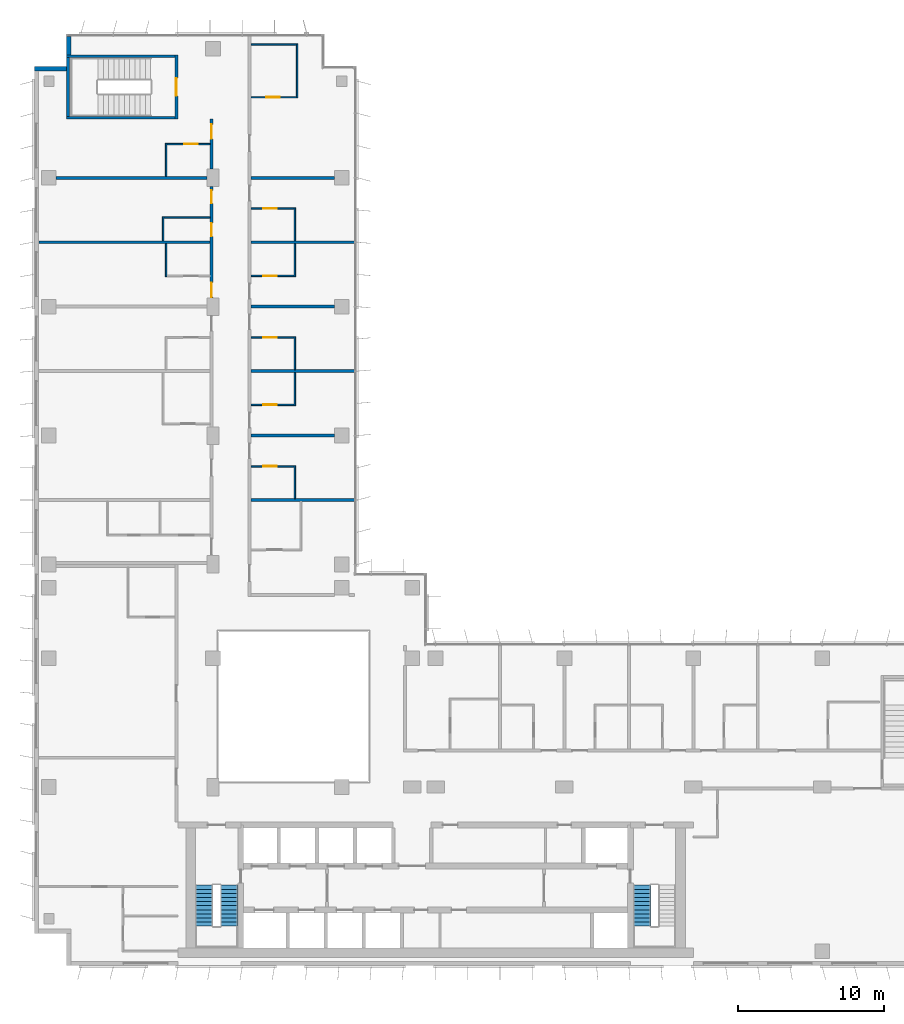
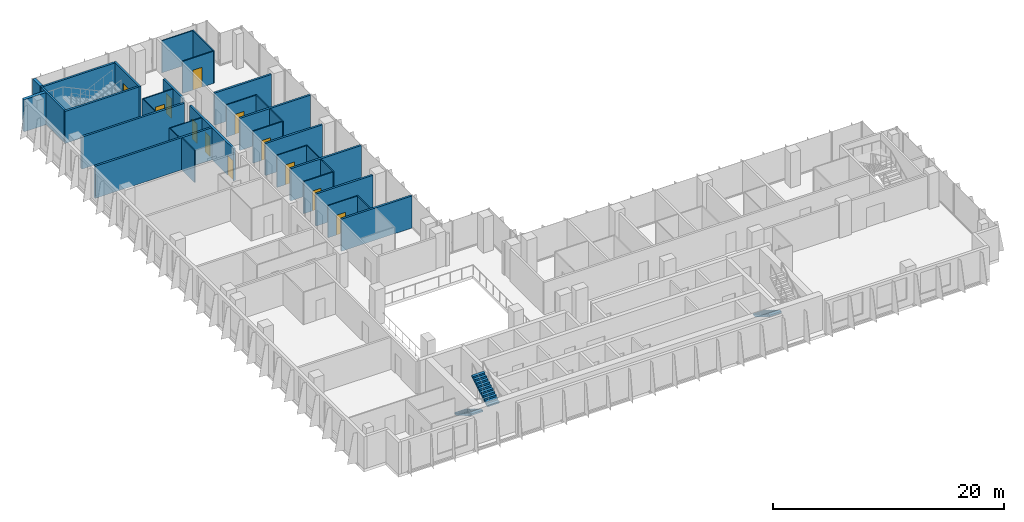
# One storey, part 17 of 21: 34 walls, 12 doors, 3 stair flights, 12 openings, 2 elements without a shape of their own.
"""IFC4 building model written with IfcOpenShell, lengths in metres."""

from ifc_helpers import new_model, si_unit, direction, frame, frame_2d, origin, place, context, subcontext, project, spatial, polyline, rectangle, outline, extrude, material, layer, layer_set, type_object, element, fill, aggregate, save


model = new_model("IFC4")

# Units and contexts
model_context = context("Model", 3, precision=1e-05, world=origin(), true_north=direction((0.0, 1.0)))
body_context = subcontext(model_context, "Body", "Model", "MODEL_VIEW")
ifc_project = project(units=[si_unit("LENGTHUNIT", "METRE"), si_unit("AREAUNIT", "SQUARE_METRE"), si_unit("VOLUMEUNIT", "CUBIC_METRE"), si_unit("PLANEANGLEUNIT", "RADIAN"), si_unit("MASSUNIT", "GRAM", prefix="KILO")], contexts=[model_context])

# Site, building, storey
site_placement = place(None, origin())
site = spatial("IfcSite", under=ifc_project, at=site_placement, CompositionType="ELEMENT")
building_placement = place(site_placement, origin())
building = spatial("IfcBuilding", under=site, at=building_placement, Name="Kemantara Hotel Tower", CompositionType="ELEMENT")
storey_placement = place(building_placement, frame((0.0, 0.0, 182.699951171875)))
storey = spatial("IfcBuildingStorey", under=building, at=storey_placement, Name="L45", CompositionType="ELEMENT", Elevation=182.699951171875)

# Walls
ifc_material_1 = material(Name="Bronze anodised aluminium cladding on insulated steel stud wall", Category="steel")
ifc_layer_1 = layer(ifc_material_1, 0.300048828125)
ifc_layer_set_1 = layer_set([ifc_layer_1], Name="Bronze anodised aluminium cladding on insulated steel stud wall")
wall_type_1 = type_object("IfcWallType", Name="BRONZE METAL-CLAD EXTERNAL WALL 300", PredefinedType="STANDARD", material=ifc_layer_set_1)
wall_1_placement = place(storey_placement, frame((2.35009765625, 63.449951171875, 0.0), z_axis=(0.0, 0.0, 1.0), x_axis=(0.0, -1.0, 0.0)))
element("IfcWall", 1, at=wall_1_placement, inside=storey, type_object=wall_type_1, Name="EXTERNAL WALL L45 T3-R03", PredefinedType="STANDARD", context=body_context, shape_type="SweptSolid", body=[
    extrude(rectangle(XDim=1.25, YDim=0.300048828125, at=frame_2d((0.625, 0.0))), origin(), (0.0, 0.0, 1.0), 3.400146484375),
])
wall_2_placement = place(storey_placement, frame((2.199951171875, 61.25, 0.0), z_axis=(0.0, 0.0, 1.0), x_axis=(-1.0, 0.0, 0.0)))
element("IfcWall", 2, at=wall_2_placement, inside=storey, type_object=wall_type_1, Name="EXTERNAL WALL L45 T3-R04", PredefinedType="STANDARD", context=body_context, shape_type="SweptSolid", body=[
    extrude(rectangle(XDim=2.199951171875, YDim=0.300048828125, at=frame_2d((1.10009765625, 0.0))), origin(), (0.0, 0.0, 1.0), 3.400146484375),
])

# Wall, openings, doors
ifc_material_2 = material(Name="Gypsum board partition, steel studs and mineral wool, 200 mm", Category="steel")
ifc_layer_2 = layer(ifc_material_2, 0.199951171875)
ifc_layer_set_2 = layer_set([ifc_layer_2], Name="Gypsum board partition, steel studs and mineral wool, 200 mm")
wall_type_2 = type_object("IfcWallType", Name="CORRIDOR WALL 200", PredefinedType="PARTITIONING", material=ifc_layer_set_2)
wall_3_placement = place(storey_placement, frame((12.10009765625, 45.60009765625, 0.0), z_axis=(0.0, 0.0, 1.0), x_axis=(0.0, 1.0, 0.0)))
wall_3 = element("IfcWall", 3, at=wall_3_placement, inside=storey, type_object=wall_type_2, Name="CORRIDOR WALL 200 017", PredefinedType="PARTITIONING", context=body_context, shape_type="SweptSolid", body=[
    extrude(rectangle(XDim=7.599853515625, YDim=0.199951171875, at=frame_2d((3.7998046875, 0.0))), origin(), (0.0, 0.0, 1.0), 3.400146484375),
])
opening_1_placement = place(wall_3_placement, frame((0.0498046875, 0.0, 0.0)))
opening_1 = element("IfcOpeningElement", 4, at=opening_1_placement, cuts=wall_3, Name="Opening F21-028", PredefinedType="OPENING", context=body_context, shape_type="SweptSolid", body=[
    extrude(rectangle(XDim=1.0, YDim=2.10009765625, at=frame_2d((0.5, 1.050048828125))), frame((0.0, 0.10986328125, 0.0), z_axis=(0.0, -1.0, 0.0), x_axis=(1.0, 0.0, 0.0)), (0.0, 0.0, 1.0), 0.219970703125),
])
opening_2_placement = place(wall_3_placement, frame((6.449951171875, 0.0, 0.0)))
opening_2 = element("IfcOpeningElement", 5, at=opening_2_placement, cuts=wall_3, Name="Opening F21-030", PredefinedType="OPENING", context=body_context, shape_type="SweptSolid", body=[
    extrude(rectangle(XDim=0.89990234375, YDim=2.10009765625, at=frame_2d((0.449951171875, 1.050048828125))), frame((0.0, 0.10986328125, 0.0), z_axis=(0.0, -1.0, 0.0), x_axis=(1.0, 0.0, 0.0)), (0.0, 0.0, 1.0), 0.219970703125),
])
opening_3_placement = place(wall_3_placement, frame((4.199951171875, 0.0, 0.0)))
opening_3 = element("IfcOpeningElement", 6, at=opening_3_placement, cuts=wall_3, Name="Opening F21-031", PredefinedType="OPENING", context=body_context, shape_type="SweptSolid", body=[
    extrude(rectangle(XDim=0.89990234375, YDim=2.10009765625, at=frame_2d((0.449951171875, 1.050048828125))), frame((0.0, 0.10986328125, 0.0), z_axis=(0.0, -1.0, 0.0), x_axis=(1.0, 0.0, 0.0)), (0.0, 0.0, 1.0), 0.219970703125),
])
ifc_material_3 = material(Name="Hardwood veneer door leaf with steel frame", Category="steel")
door_type_1 = type_object("IfcDoorType", Name="GUEST ROOM DOOR 1000 X 2100 FD30S", OperationType="NOTDEFINED", PredefinedType="DOOR", material=ifc_material_3)
door_1_placement = place(opening_1_placement, origin())
door_1 = element("IfcDoor", 7, at=door_1_placement, inside=storey, type_object=door_type_1, Name="GUEST ROOM DOOR F21-028", OperationType="SINGLE_SWING_LEFT", OverallHeight=2.10009765625, OverallWidth=1.0, PredefinedType="DOOR", context=body_context, shape_type="SweptSolid", body=[
    extrude(rectangle(XDim=1.0, YDim=2.10009765625, at=frame_2d((0.5, 1.050048828125))), frame((0.0, 0.02490234375, 0.0), z_axis=(0.0, -1.0, 0.0), x_axis=(1.0, 0.0, 0.0)), (0.0, 0.0, 1.0), 0.050048828125),
])
fill(opening_1, door_1)
ifc_material_4 = material(Name="Steel door leaf with steel frame", Category="steel")
door_type_2 = type_object("IfcDoorType", Name="SERVICE ROOM DOOR 900 X 2100 FD60", OperationType="NOTDEFINED", PredefinedType="DOOR", material=ifc_material_4)
door_2_placement = place(opening_2_placement, origin())
door_2 = element("IfcDoor", 8, at=door_2_placement, inside=storey, type_object=door_type_2, Name="SERVICE ROOM DOOR F21-030", OperationType="SINGLE_SWING_RIGHT", OverallHeight=2.10009765625, OverallWidth=0.89990234375, PredefinedType="DOOR", context=body_context, shape_type="SweptSolid", body=[
    extrude(rectangle(XDim=0.89990234375, YDim=2.10009765625, at=frame_2d((0.449951171875, 1.050048828125))), frame((0.0, 0.02490234375, 0.0), z_axis=(0.0, -1.0, 0.0), x_axis=(1.0, 0.0, 0.0)), (0.0, 0.0, 1.0), 0.050048828125),
])
fill(opening_2, door_2)
door_3_placement = place(opening_3_placement, origin())
door_3 = element("IfcDoor", 9, at=door_3_placement, inside=storey, type_object=door_type_2, Name="SERVICE ROOM DOOR F21-031", OperationType="SINGLE_SWING_LEFT", OverallHeight=2.10009765625, OverallWidth=0.89990234375, PredefinedType="DOOR", context=body_context, shape_type="SweptSolid", body=[
    extrude(rectangle(XDim=0.89990234375, YDim=2.10009765625, at=frame_2d((0.449951171875, 1.050048828125))), frame((0.0, 0.02490234375, 0.0), z_axis=(0.0, -1.0, 0.0), x_axis=(1.0, 0.0, 0.0)), (0.0, 0.0, 1.0), 0.050048828125),
])
fill(opening_3, door_3)

# Wall, opening, door
wall_4_placement = place(storey_placement, frame((12.10009765625, 54.400146484375, 0.0), z_axis=(0.0, 0.0, 1.0), x_axis=(0.0, 1.0, 0.0)))
wall_4 = element("IfcWall", 10, at=wall_4_placement, inside=storey, type_object=wall_type_2, Name="CORRIDOR WALL 200 018", PredefinedType="PARTITIONING", context=body_context, shape_type="SweptSolid", body=[
    extrude(rectangle(XDim=3.39990234375, YDim=0.199951171875, at=frame_2d((1.699951171875, 0.0))), origin(), (0.0, 0.0, 1.0), 3.400146484375),
])
opening_4_placement = place(wall_4_placement, frame((2.0498046875, 0.0, 0.0)))
opening_4 = element("IfcOpeningElement", 11, at=opening_4_placement, cuts=wall_4, Name="Opening F21-032", PredefinedType="OPENING", context=body_context, shape_type="SweptSolid", body=[
    extrude(rectangle(XDim=1.0, YDim=2.10009765625, at=frame_2d((0.5, 1.050048828125))), frame((0.0, 0.10986328125, 0.0), z_axis=(0.0, -1.0, 0.0), x_axis=(1.0, 0.0, 0.0)), (0.0, 0.0, 1.0), 0.219970703125),
])
door_4_placement = place(opening_4_placement, origin())
door_4 = element("IfcDoor", 12, at=door_4_placement, inside=storey, type_object=door_type_1, Name="GUEST ROOM DOOR F21-032", OperationType="SINGLE_SWING_RIGHT", OverallHeight=2.10009765625, OverallWidth=1.0, PredefinedType="DOOR", context=body_context, shape_type="SweptSolid", body=[
    extrude(rectangle(XDim=1.0, YDim=2.10009765625, at=frame_2d((0.5, 1.050048828125))), frame((0.0, 0.02490234375, 0.0), z_axis=(0.0, -1.0, 0.0), x_axis=(1.0, 0.0, 0.0)), (0.0, 0.0, 1.0), 0.050048828125),
])
fill(opening_4, door_4)

ifc_material_5 = material(Name="Concrete fc 40 MPa", Category="concrete")
ifc_layer_3 = layer(ifc_material_5, 0.199951171875)
ifc_layer_set_3 = layer_set([ifc_layer_3], Name="Concrete fc 40 MPa")
wall_type_3 = type_object("IfcWallType", Name="Concrete stair wall 200 mm", PredefinedType="SHEAR", material=ifc_layer_set_3)
wall_5_placement = place(storey_placement, frame((9.699951171875, 57.800048828125, 0.0), z_axis=(0.0, 0.0, 1.0), x_axis=(0.0, 1.0, 0.0)))
wall_5 = element("IfcWall", 13, at=wall_5_placement, inside=storey, type_object=wall_type_3, Name="Stair ST4 enclosure wall with door", PredefinedType="SHEAR", context=body_context, shape_type="SweptSolid", body=[
    extrude(rectangle(XDim=4.39990234375, YDim=0.199951171875, at=frame_2d((2.199951171875, 0.0))), origin(), (0.0, 0.0, 1.0), 3.400146484375),
])
opening_5_placement = place(wall_5_placement, frame((1.60009765625, 0.0, 0.0)))
opening_5 = element("IfcOpeningElement", 14, at=opening_5_placement, cuts=wall_5, Name="Opening ST4-C", PredefinedType="OPENING", context=body_context, shape_type="SweptSolid", body=[
    extrude(rectangle(XDim=1.199951171875, YDim=2.10009765625, at=frame_2d((0.60009765625, 1.050048828125))), frame((0.0, 0.10986328125, 0.0), z_axis=(0.0, -1.0, 0.0), x_axis=(1.0, 0.0, 0.0)), (0.0, 0.0, 1.0), 0.219970703125),
])
ifc_material_6 = material(Name="Steel fire door", Category="steel")
door_type_3 = type_object("IfcDoorType", Name="Fire door FD90 1200 x 2100", OperationType="NOTDEFINED", PredefinedType="DOOR", material=ifc_material_6)
door_5_placement = place(opening_5_placement, origin())
door_5 = element("IfcDoor", 15, at=door_5_placement, inside=storey, type_object=door_type_3, Name="Stair ST4 door", OperationType="SINGLE_SWING_RIGHT", OverallHeight=2.10009765625, OverallWidth=1.199951171875, PredefinedType="DOOR", context=body_context, shape_type="SweptSolid", body=[
    extrude(rectangle(XDim=1.199951171875, YDim=2.10009765625, at=frame_2d((0.60009765625, 1.050048828125))), frame((0.0, 0.02490234375, 0.0), z_axis=(0.0, -1.0, 0.0), x_axis=(1.0, 0.0, 0.0)), (0.0, 0.0, 1.0), 0.050048828125),
])
fill(opening_5, door_5)

# Walls
for number, where, z_axis, x_axis, name in (
    (16, (2.199951171875, 62.10009765625, 0.0), (0.0, 0.0, 1.0), (1.0, 0.0, 0.0), "Stair ST4 enclosure wall N"),
    (17, (2.199951171875, 57.89990234375, 0.0), (0.0, 0.0, 1.0), (1.0, 0.0, 0.0), "Stair ST4 enclosure wall S"),
):
    element("IfcWall", number, at=place(storey_placement, frame(where, z_axis=z_axis, x_axis=x_axis)), inside=storey, type_object=wall_type_3, Name=name, PredefinedType="SHEAR", context=body_context, shape_type="SweptSolid", body=[
        extrude(rectangle(XDim=7.400146484375, YDim=0.199951171875, at=frame_2d((3.7001953125, 0.0))), origin(), (0.0, 0.0, 1.0), 3.400146484375),
    ])
wall_6_placement = place(storey_placement, frame((2.300048828125, 58.0, 0.0), z_axis=(0.0, 0.0, 1.0), x_axis=(0.0, 1.0, 0.0)))
element("IfcWall", 18, at=wall_6_placement, inside=storey, type_object=wall_type_3, Name="Stair ST4 enclosure wall W", PredefinedType="SHEAR", context=body_context, shape_type="SweptSolid", body=[
    extrude(rectangle(XDim=4.0, YDim=0.199951171875, at=frame_2d((2.0, 0.0))), origin(), (0.0, 0.0, 1.0), 3.400146484375),
])
ifc_layer_4 = layer(ifc_material_2, 0.199951171875)
ifc_layer_set_4 = layer_set([ifc_layer_4], Name="Gypsum board partition, steel studs and mineral wool, 200 mm")
wall_type_4 = type_object("IfcWallType", Name="GUEST ROOM PARTY WALL 200", PredefinedType="PARTITIONING", material=ifc_layer_set_4)
for number, where, z_axis, x_axis, name in (
    (19, (14.800048828125, 31.800048828125, 0.0), (0.0, 0.0, 1.0), (1.0, 0.0, 0.0), "GUEST ROOM PARTY WALL 200 021"),
    (20, (14.800048828125, 40.60009765625, 0.0), (0.0, 0.0, 1.0), (1.0, 0.0, 0.0), "GUEST ROOM PARTY WALL 200 023"),
):
    element("IfcWall", number, at=place(storey_placement, frame(where, z_axis=z_axis, x_axis=x_axis)), inside=storey, type_object=wall_type_4, Name=name, PredefinedType="PARTITIONING", context=body_context, shape_type="SweptSolid", body=[
        extrude(rectangle(XDim=7.070068359375, YDim=0.199951171875, at=frame_2d((3.53515625, 0.0))), origin(), (0.0, 0.0, 1.0), 3.400146484375),
    ])
wall_7_placement = place(storey_placement, frame((14.800048828125, 45.0, 0.0), z_axis=(0.0, 0.0, 1.0), x_axis=(1.0, 0.0, 0.0)))
element("IfcWall", 21, at=wall_7_placement, inside=storey, type_object=wall_type_4, Name="GUEST ROOM PARTY WALL 200 025", PredefinedType="PARTITIONING", context=body_context, shape_type="SweptSolid", body=[
    extrude(rectangle(XDim=5.699951171875, YDim=0.199951171875, at=frame_2d((2.85009765625, 0.0))), origin(), (0.0, 0.0, 1.0), 3.400146484375),
])
wall_8_placement = place(storey_placement, frame((0.31005859375, 49.39990234375, 0.0), z_axis=(0.0, 0.0, 1.0), x_axis=(1.0, 0.0, 0.0)))
element("IfcWall", 22, at=wall_8_placement, inside=storey, type_object=wall_type_4, Name="GUEST ROOM PARTY WALL 200 026", PredefinedType="PARTITIONING", context=body_context, shape_type="SweptSolid", body=[
    extrude(rectangle(XDim=11.68994140625, YDim=0.199951171875, at=frame_2d((5.844970703125, 0.0))), origin(), (0.0, 0.0, 1.0), 3.400146484375),
])
wall_9_placement = place(storey_placement, frame((14.800048828125, 49.39990234375, 0.0), z_axis=(0.0, 0.0, 1.0), x_axis=(1.0, 0.0, 0.0)))
element("IfcWall", 23, at=wall_9_placement, inside=storey, type_object=wall_type_4, Name="GUEST ROOM PARTY WALL 200 027", PredefinedType="PARTITIONING", context=body_context, shape_type="SweptSolid", body=[
    extrude(rectangle(XDim=7.070068359375, YDim=0.199951171875, at=frame_2d((3.53515625, 0.0))), origin(), (0.0, 0.0, 1.0), 3.400146484375),
])
wall_10_placement = place(storey_placement, frame((1.5, 53.800048828125, 0.0), z_axis=(0.0, 0.0, 1.0), x_axis=(1.0, 0.0, 0.0)))
element("IfcWall", 24, at=wall_10_placement, inside=storey, type_object=wall_type_4, Name="GUEST ROOM PARTY WALL 200 028", PredefinedType="PARTITIONING", context=body_context, shape_type="SweptSolid", body=[
    extrude(rectangle(XDim=10.2998046875, YDim=0.199951171875, at=frame_2d((5.14990234375, 0.0))), origin(), (0.0, 0.0, 1.0), 3.400146484375),
])
for number, where, z_axis, x_axis, name in (
    (25, (14.800048828125, 53.800048828125, 0.0), (0.0, 0.0, 1.0), (1.0, 0.0, 0.0), "GUEST ROOM PARTY WALL 200 029"),
    (26, (14.800048828125, 36.199951171875, 0.0), (0.0, 0.0, 1.0), (1.0, 0.0, 0.0), "GUEST ROOM PARTY WALL 200 033"),
):
    element("IfcWall", number, at=place(storey_placement, frame(where, z_axis=z_axis, x_axis=x_axis)), inside=storey, type_object=wall_type_4, Name=name, PredefinedType="PARTITIONING", context=body_context, shape_type="SweptSolid", body=[
        extrude(rectangle(XDim=5.699951171875, YDim=0.199951171875, at=frame_2d((2.85009765625, 0.0))), origin(), (0.0, 0.0, 1.0), 3.400146484375),
    ])
ifc_material_7 = material(Name="Gypsum board partition on steel studs, 100 mm", Category="steel")
ifc_layer_5 = layer(ifc_material_7, 0.10009765625)
ifc_layer_set_5 = layer_set([ifc_layer_5], Name="Gypsum board partition on steel studs, 100 mm")
wall_type_5 = type_object("IfcWallType", Name="ROOM PARTITION 100", PredefinedType="PARTITIONING", material=ifc_layer_set_5)
wall_11_placement = place(storey_placement, frame((8.800048828125, 49.5, 0.0), z_axis=(0.0, 0.0, 1.0), x_axis=(0.0, 1.0, 0.0)))
element("IfcWall", 27, at=wall_11_placement, inside=storey, type_object=wall_type_5, Name="ROOM PARTITION 100 058", PredefinedType="PARTITIONING", context=body_context, shape_type="SweptSolid", body=[
    extrude(rectangle(XDim=1.64990234375, YDim=0.10009765625, at=frame_2d((0.824951171875, 0.0))), origin(), (0.0, 0.0, 1.0), 3.400146484375),
])
for number, where, z_axis, x_axis, name in (
    (28, (9.0, 47.050048828125, 0.0), (0.0, 0.0, 1.0), (0.0, 1.0, 0.0), "ROOM PARTITION 100 061"),
    (29, (9.0, 53.89990234375, 0.0), (0.0, 0.0, 1.0), (0.0, 1.0, 0.0), "ROOM PARTITION 100 062"),
):
    element("IfcWall", number, at=place(storey_placement, frame(where, z_axis=z_axis, x_axis=x_axis)), inside=storey, type_object=wall_type_5, Name=name, PredefinedType="PARTITIONING", context=body_context, shape_type="SweptSolid", body=[
        extrude(rectangle(XDim=2.25, YDim=0.10009765625, at=frame_2d((1.125, 0.0))), origin(), (0.0, 0.0, 1.0), 3.400146484375),
    ])

# Wall, opening, door
wall_12_placement = place(storey_placement, frame((17.75, 42.89990234375, 0.0), z_axis=(0.0, 0.0, 1.0), x_axis=(-1.0, 0.0, 0.0)))
wall_12 = element("IfcWall", 30, at=wall_12_placement, inside=storey, type_object=wall_type_5, Name="ROOM PARTITION 100 064", PredefinedType="PARTITIONING", context=body_context, shape_type="SweptSolid", body=[
    extrude(rectangle(XDim=2.949951171875, YDim=0.10009765625, at=frame_2d((1.47509765625, 0.0))), origin(), (0.0, 0.0, 1.0), 3.400146484375),
])
opening_6_placement = place(wall_12_placement, frame((1.199951171875, 0.0, 0.0)))
opening_6 = element("IfcOpeningElement", 31, at=opening_6_placement, cuts=wall_12, Name="Opening F21-041", PredefinedType="OPENING", context=body_context, shape_type="SweptSolid", body=[
    extrude(rectangle(XDim=0.89990234375, YDim=2.10009765625, at=frame_2d((0.449951171875, 1.050048828125))), frame((0.0, 0.06005859375, 0.0), z_axis=(0.0, -1.0, 0.0), x_axis=(1.0, 0.0, 0.0)), (0.0, 0.0, 1.0), 0.1201171875),
])
door_type_4 = type_object("IfcDoorType", Name="BATHROOM DOOR 900 X 2100", OperationType="NOTDEFINED", PredefinedType="DOOR", material=ifc_material_3)
door_6_placement = place(opening_6_placement, origin())
door_6 = element("IfcDoor", 32, at=door_6_placement, inside=storey, type_object=door_type_4, Name="BATHROOM DOOR F21-041", OperationType="SINGLE_SWING_RIGHT", OverallHeight=2.10009765625, OverallWidth=0.89990234375, PredefinedType="DOOR", context=body_context, shape_type="SweptSolid", body=[
    extrude(rectangle(XDim=0.89990234375, YDim=2.10009765625, at=frame_2d((0.449951171875, 1.050048828125))), frame((0.0, 0.02490234375, 0.0), z_axis=(0.0, -1.0, 0.0), x_axis=(1.0, 0.0, 0.0)), (0.0, 0.0, 1.0), 0.050048828125),
])
fill(opening_6, door_6)

wall_13_placement = place(storey_placement, frame((14.800048828125, 47.10009765625, 0.0), z_axis=(0.0, 0.0, 1.0), x_axis=(1.0, 0.0, 0.0)))
wall_13 = element("IfcWall", 33, at=wall_13_placement, inside=storey, type_object=wall_type_5, Name="ROOM PARTITION 100 066", PredefinedType="PARTITIONING", context=body_context, shape_type="SweptSolid", body=[
    extrude(rectangle(XDim=2.949951171875, YDim=0.10009765625, at=frame_2d((1.47509765625, 0.0))), origin(), (0.0, 0.0, 1.0), 3.400146484375),
])
opening_7_placement = place(wall_13_placement, frame((0.85009765625, 0.0, 0.0)))
opening_7 = element("IfcOpeningElement", 34, at=opening_7_placement, cuts=wall_13, Name="Opening F21-043", PredefinedType="OPENING", context=body_context, shape_type="SweptSolid", body=[
    extrude(rectangle(XDim=0.89990234375, YDim=2.10009765625, at=frame_2d((0.449951171875, 1.050048828125))), frame((0.0, 0.06005859375, 0.0), z_axis=(0.0, -1.0, 0.0), x_axis=(1.0, 0.0, 0.0)), (0.0, 0.0, 1.0), 0.1201171875),
])
door_7_placement = place(opening_7_placement, origin())
door_7 = element("IfcDoor", 35, at=door_7_placement, inside=storey, type_object=door_type_4, Name="BATHROOM DOOR F21-043", OperationType="SINGLE_SWING_LEFT", OverallHeight=2.10009765625, OverallWidth=0.89990234375, PredefinedType="DOOR", context=body_context, shape_type="SweptSolid", body=[
    extrude(rectangle(XDim=0.89990234375, YDim=2.10009765625, at=frame_2d((0.449951171875, 1.050048828125))), frame((0.0, 0.02490234375, 0.0), z_axis=(0.0, -1.0, 0.0), x_axis=(1.0, 0.0, 0.0)), (0.0, 0.0, 1.0), 0.050048828125),
])
fill(opening_7, door_7)

# Wall
wall_14_placement = place(storey_placement, frame((8.85009765625, 51.10009765625, 0.0), z_axis=(0.0, 0.0, 1.0), x_axis=(1.0, 0.0, 0.0)))
element("IfcWall", 36, at=wall_14_placement, inside=storey, type_object=wall_type_5, Name="ROOM PARTITION 100 067", PredefinedType="PARTITIONING", context=body_context, shape_type="SweptSolid", body=[
    extrude(rectangle(XDim=3.14990234375, YDim=0.10009765625, at=frame_2d((1.574951171875, 0.0))), origin(), (0.0, 0.0, 1.0), 3.400146484375),
])

# Wall, opening, door
wall_15_placement = place(storey_placement, frame((12.0, 56.10009765625, 0.0), z_axis=(0.0, 0.0, 1.0), x_axis=(-1.0, 0.0, 0.0)))
wall_15 = element("IfcWall", 37, at=wall_15_placement, inside=storey, type_object=wall_type_5, Name="ROOM PARTITION 100 068", PredefinedType="PARTITIONING", context=body_context, shape_type="SweptSolid", body=[
    extrude(rectangle(XDim=2.949951171875, YDim=0.10009765625, at=frame_2d((1.47509765625, 0.0))), origin(), (0.0, 0.0, 1.0), 3.400146484375),
])
opening_8_placement = place(wall_15_placement, frame((0.85009765625, 0.0, 0.0)))
opening_8 = element("IfcOpeningElement", 38, at=opening_8_placement, cuts=wall_15, Name="Opening F21-033", PredefinedType="OPENING", context=body_context, shape_type="SweptSolid", body=[
    extrude(rectangle(XDim=0.89990234375, YDim=2.10009765625, at=frame_2d((0.449951171875, 1.050048828125))), frame((0.0, 0.06005859375, 0.0), z_axis=(0.0, -1.0, 0.0), x_axis=(1.0, 0.0, 0.0)), (0.0, 0.0, 1.0), 0.1201171875),
])
door_8_placement = place(opening_8_placement, origin())
door_8 = element("IfcDoor", 39, at=door_8_placement, inside=storey, type_object=door_type_4, Name="BATHROOM DOOR F21-033", OperationType="SINGLE_SWING_LEFT", OverallHeight=2.10009765625, OverallWidth=0.89990234375, PredefinedType="DOOR", context=body_context, shape_type="SweptSolid", body=[
    extrude(rectangle(XDim=0.89990234375, YDim=2.10009765625, at=frame_2d((0.449951171875, 1.050048828125))), frame((0.0, 0.02490234375, 0.0), z_axis=(0.0, -1.0, 0.0), x_axis=(1.0, 0.0, 0.0)), (0.0, 0.0, 1.0), 0.050048828125),
])
fill(opening_8, door_8)

# Walls
for number, where, z_axis, x_axis, name in (
    (40, (17.800048828125, 31.89990234375, 0.0), (0.0, 0.0, 1.0), (0.0, 1.0, 0.0), "ROOM PARTITION 100 071"),
    (41, (17.800048828125, 38.25, 0.0), (0.0, 0.0, 1.0), (0.0, 1.0, 0.0), "ROOM PARTITION 100 072"),
    (42, (17.800048828125, 40.699951171875, 0.0), (0.0, 0.0, 1.0), (0.0, 1.0, 0.0), "ROOM PARTITION 100 073"),
    (43, (17.800048828125, 47.050048828125, 0.0), (0.0, 0.0, 1.0), (0.0, 1.0, 0.0), "ROOM PARTITION 100 074"),
    (44, (17.800048828125, 49.5, 0.0), (0.0, 0.0, 1.0), (0.0, 1.0, 0.0), "ROOM PARTITION 100 075"),
):
    element("IfcWall", number, at=place(storey_placement, frame(where, z_axis=z_axis, x_axis=x_axis)), inside=storey, type_object=wall_type_5, Name=name, PredefinedType="PARTITIONING", context=body_context, shape_type="SweptSolid", body=[
        extrude(rectangle(XDim=2.25, YDim=0.10009765625, at=frame_2d((1.125, 0.0))), origin(), (0.0, 0.0, 1.0), 3.400146484375),
    ])

# Wall, opening, door
wall_16_placement = place(storey_placement, frame((17.75, 34.10009765625, 0.0), z_axis=(0.0, 0.0, 1.0), x_axis=(-1.0, 0.0, 0.0)))
wall_16 = element("IfcWall", 45, at=wall_16_placement, inside=storey, type_object=wall_type_5, Name="ROOM PARTITION 100 076", PredefinedType="PARTITIONING", context=body_context, shape_type="SweptSolid", body=[
    extrude(rectangle(XDim=2.949951171875, YDim=0.10009765625, at=frame_2d((1.47509765625, 0.0))), origin(), (0.0, 0.0, 1.0), 3.400146484375),
])
opening_9_placement = place(wall_16_placement, frame((1.199951171875, 0.0, 0.0)))
opening_9 = element("IfcOpeningElement", 46, at=opening_9_placement, cuts=wall_16, Name="Opening F21-037", PredefinedType="OPENING", context=body_context, shape_type="SweptSolid", body=[
    extrude(rectangle(XDim=0.89990234375, YDim=2.10009765625, at=frame_2d((0.449951171875, 1.050048828125))), frame((0.0, 0.06005859375, 0.0), z_axis=(0.0, -1.0, 0.0), x_axis=(1.0, 0.0, 0.0)), (0.0, 0.0, 1.0), 0.1201171875),
])
door_9_placement = place(opening_9_placement, origin())
door_9 = element("IfcDoor", 47, at=door_9_placement, inside=storey, type_object=door_type_4, Name="BATHROOM DOOR F21-037", OperationType="SINGLE_SWING_RIGHT", OverallHeight=2.10009765625, OverallWidth=0.89990234375, PredefinedType="DOOR", context=body_context, shape_type="SweptSolid", body=[
    extrude(rectangle(XDim=0.89990234375, YDim=2.10009765625, at=frame_2d((0.449951171875, 1.050048828125))), frame((0.0, 0.02490234375, 0.0), z_axis=(0.0, -1.0, 0.0), x_axis=(1.0, 0.0, 0.0)), (0.0, 0.0, 1.0), 0.050048828125),
])
fill(opening_9, door_9)

wall_17_placement = place(storey_placement, frame((14.800048828125, 38.300048828125, 0.0), z_axis=(0.0, 0.0, 1.0), x_axis=(1.0, 0.0, 0.0)))
wall_17 = element("IfcWall", 48, at=wall_17_placement, inside=storey, type_object=wall_type_5, Name="ROOM PARTITION 100 077", PredefinedType="PARTITIONING", context=body_context, shape_type="SweptSolid", body=[
    extrude(rectangle(XDim=2.949951171875, YDim=0.10009765625, at=frame_2d((1.47509765625, 0.0))), origin(), (0.0, 0.0, 1.0), 3.400146484375),
])
opening_10_placement = place(wall_17_placement, frame((0.85009765625, 0.0, 0.0)))
opening_10 = element("IfcOpeningElement", 49, at=opening_10_placement, cuts=wall_17, Name="Opening F21-039", PredefinedType="OPENING", context=body_context, shape_type="SweptSolid", body=[
    extrude(rectangle(XDim=0.89990234375, YDim=2.10009765625, at=frame_2d((0.449951171875, 1.050048828125))), frame((0.0, 0.06005859375, 0.0), z_axis=(0.0, -1.0, 0.0), x_axis=(1.0, 0.0, 0.0)), (0.0, 0.0, 1.0), 0.1201171875),
])
door_10_placement = place(opening_10_placement, origin())
door_10 = element("IfcDoor", 50, at=door_10_placement, inside=storey, type_object=door_type_4, Name="BATHROOM DOOR F21-039", OperationType="SINGLE_SWING_LEFT", OverallHeight=2.10009765625, OverallWidth=0.89990234375, PredefinedType="DOOR", context=body_context, shape_type="SweptSolid", body=[
    extrude(rectangle(XDim=0.89990234375, YDim=2.10009765625, at=frame_2d((0.449951171875, 1.050048828125))), frame((0.0, 0.02490234375, 0.0), z_axis=(0.0, -1.0, 0.0), x_axis=(1.0, 0.0, 0.0)), (0.0, 0.0, 1.0), 0.050048828125),
])
fill(opening_10, door_10)

wall_18_placement = place(storey_placement, frame((17.75, 51.699951171875, 0.0), z_axis=(0.0, 0.0, 1.0), x_axis=(-1.0, 0.0, 0.0)))
wall_18 = element("IfcWall", 51, at=wall_18_placement, inside=storey, type_object=wall_type_5, Name="ROOM PARTITION 100 078", PredefinedType="PARTITIONING", context=body_context, shape_type="SweptSolid", body=[
    extrude(rectangle(XDim=2.949951171875, YDim=0.10009765625, at=frame_2d((1.47509765625, 0.0))), origin(), (0.0, 0.0, 1.0), 3.400146484375),
])
opening_11_placement = place(wall_18_placement, frame((1.199951171875, 0.0, 0.0)))
opening_11 = element("IfcOpeningElement", 52, at=opening_11_placement, cuts=wall_18, Name="Opening F21-045", PredefinedType="OPENING", context=body_context, shape_type="SweptSolid", body=[
    extrude(rectangle(XDim=0.89990234375, YDim=2.10009765625, at=frame_2d((0.449951171875, 1.050048828125))), frame((0.0, 0.06005859375, 0.0), z_axis=(0.0, -1.0, 0.0), x_axis=(1.0, 0.0, 0.0)), (0.0, 0.0, 1.0), 0.1201171875),
])
door_11_placement = place(opening_11_placement, origin())
door_11 = element("IfcDoor", 53, at=door_11_placement, inside=storey, type_object=door_type_4, Name="BATHROOM DOOR F21-045", OperationType="SINGLE_SWING_RIGHT", OverallHeight=2.10009765625, OverallWidth=0.89990234375, PredefinedType="DOOR", context=body_context, shape_type="SweptSolid", body=[
    extrude(rectangle(XDim=0.89990234375, YDim=2.10009765625, at=frame_2d((0.449951171875, 1.050048828125))), frame((0.0, 0.02490234375, 0.0), z_axis=(0.0, -1.0, 0.0), x_axis=(1.0, 0.0, 0.0)), (0.0, 0.0, 1.0), 0.050048828125),
])
fill(opening_11, door_11)

# Wall
wall_19_placement = place(storey_placement, frame((17.949951171875, 59.25, 0.0), z_axis=(0.0, 0.0, 1.0), x_axis=(0.0, 1.0, 0.0)))
element("IfcWall", 54, at=wall_19_placement, inside=storey, type_object=wall_type_5, Name="ROOM PARTITION 100 079", PredefinedType="PARTITIONING", context=body_context, shape_type="SweptSolid", body=[
    extrude(rectangle(XDim=3.699951171875, YDim=0.10009765625, at=frame_2d((1.85009765625, 0.0))), origin(), (0.0, 0.0, 1.0), 3.400146484375),
])

# Wall, opening, door
wall_20_placement = place(storey_placement, frame((14.800048828125, 59.300048828125, 0.0), z_axis=(0.0, 0.0, 1.0), x_axis=(1.0, 0.0, 0.0)))
wall_20 = element("IfcWall", 55, at=wall_20_placement, inside=storey, type_object=wall_type_5, Name="ROOM PARTITION 100 080", PredefinedType="PARTITIONING", context=body_context, shape_type="SweptSolid", body=[
    extrude(rectangle(XDim=3.099853515625, YDim=0.10009765625, at=frame_2d((1.5498046875, 0.0))), origin(), (0.0, 0.0, 1.0), 3.400146484375),
])
opening_12_placement = place(wall_20_placement, frame((1.050048828125, 0.0, 0.0)))
opening_12 = element("IfcOpeningElement", 56, at=opening_12_placement, cuts=wall_20, Name="Opening F21-047", PredefinedType="OPENING", context=body_context, shape_type="SweptSolid", body=[
    extrude(rectangle(XDim=0.89990234375, YDim=2.10009765625, at=frame_2d((0.449951171875, 1.050048828125))), frame((0.0, 0.06005859375, 0.0), z_axis=(0.0, -1.0, 0.0), x_axis=(1.0, 0.0, 0.0)), (0.0, 0.0, 1.0), 0.1201171875),
])
door_12_placement = place(opening_12_placement, origin())
door_12 = element("IfcDoor", 57, at=door_12_placement, inside=storey, type_object=door_type_4, Name="BATHROOM DOOR F21-047", OperationType="SINGLE_SWING_LEFT", OverallHeight=2.10009765625, OverallWidth=0.89990234375, PredefinedType="DOOR", context=body_context, shape_type="SweptSolid", body=[
    extrude(rectangle(XDim=0.89990234375, YDim=2.10009765625, at=frame_2d((0.449951171875, 1.050048828125))), frame((0.0, 0.02490234375, 0.0), z_axis=(0.0, -1.0, 0.0), x_axis=(1.0, 0.0, 0.0)), (0.0, 0.0, 1.0), 0.050048828125),
])
fill(opening_12, door_12)

# Wall
wall_21_placement = place(storey_placement, frame((14.800048828125, 62.89990234375, 0.0), z_axis=(0.0, 0.0, 1.0), x_axis=(1.0, 0.0, 0.0)))
element("IfcWall", 58, at=wall_21_placement, inside=storey, type_object=wall_type_5, Name="ROOM PARTITION 100 081", PredefinedType="PARTITIONING", context=body_context, shape_type="SweptSolid", body=[
    extrude(rectangle(XDim=3.099853515625, YDim=0.10009765625, at=frame_2d((1.5498046875, 0.0))), origin(), (0.0, 0.0, 1.0), 3.400146484375),
])

# Stair, stair flights
stair_type = type_object("IfcStairType", Name="Stair 1200 wide 22 risers of 168 x 280 mm", PredefinedType="HALF_TURN_STAIR", material=ifc_material_5)
stair_1_placement = place(storey_placement, origin())
stair_1 = element("IfcStair", 59, at=stair_1_placement, inside=storey, type_object=stair_type, Name="L45 Exit stair ST1", PredefinedType="HALF_TURN_STAIR")
stair_flight_type = type_object("IfcStairFlightType", Name="Stair flight 1200 wide 168 x 280 mm", PredefinedType="STRAIGHT", material=ifc_material_5)
stair_flight_1_placement = place(storey_placement, frame((11.60009765625, 5.5, 0.0), z_axis=(0.0, 0.0, 1.0), x_axis=(0.0, -1.0, 0.0)))
stair_flight_1 = element("IfcStairFlight", 60, at=stair_flight_1_placement, type_object=stair_flight_type, Name="ST1 flight 1", NumberOfRisers=11, NumberOfTreads=10, PredefinedType="STRAIGHT", RiserHeight=0.168181818, TreadLength=0.28, context=body_context, shape_type="SweptSolid", body=[
    extrude(outline(polyline([(0.0, 0.0), (0.0, 0.168212890625), (0.280029296875, 0.168212890625), (0.280029296875, 0.33642578125), (0.56005859375, 0.33642578125), (0.56005859375, 0.504638671875), (0.840087890625, 0.504638671875), (0.840087890625, 0.672607421875), (1.1201171875, 0.672607421875), (1.1201171875, 0.8408203125), (1.39990234375, 0.8408203125), (1.39990234375, 1.009033203125), (1.679931640625, 1.009033203125), (1.679931640625, 1.17724609375), (1.9599609375, 1.17724609375), (1.9599609375, 1.345458984375), (2.239990234375, 1.345458984375), (2.239990234375, 1.513671875), (2.52001953125, 1.513671875), (2.52001953125, 1.681884765625), (2.800048828125, 1.681884765625), (2.800048828125, 1.85009765625), (2.800048828125, 1.5068359375), (0.291015625, 0.0), (0.0, 0.0)])), frame((0.0, 0.60009765625, 0.0), z_axis=(0.0, -1.0, 0.0), x_axis=(1.0, 0.0, 0.0)), (0.0, 0.0, 1.0), 1.199951171875),
])
stair_flight_2_placement = place(storey_placement, frame((13.300048828125, 2.699951171875, 1.85009765625), z_axis=(0.0, 0.0, 1.0), x_axis=(0.0, 1.0, 0.0)))
stair_flight_2 = element("IfcStairFlight", 61, at=stair_flight_2_placement, type_object=stair_flight_type, Name="ST1 flight 2", NumberOfRisers=11, NumberOfTreads=10, PredefinedType="STRAIGHT", RiserHeight=0.168181818, TreadLength=0.28, context=body_context, shape_type="SweptSolid", body=[
    extrude(outline(polyline([(0.0, 0.0), (0.0, 0.168212890625), (0.280029296875, 0.168212890625), (0.280029296875, 0.33642578125), (0.56005859375, 0.33642578125), (0.56005859375, 0.504638671875), (0.840087890625, 0.504638671875), (0.840087890625, 0.672607421875), (1.1201171875, 0.672607421875), (1.1201171875, 0.8408203125), (1.39990234375, 0.8408203125), (1.39990234375, 1.009033203125), (1.679931640625, 1.009033203125), (1.679931640625, 1.17724609375), (1.9599609375, 1.17724609375), (1.9599609375, 1.345458984375), (2.239990234375, 1.345458984375), (2.239990234375, 1.513671875), (2.52001953125, 1.513671875), (2.52001953125, 1.681884765625), (2.800048828125, 1.681884765625), (2.800048828125, 1.85009765625), (2.800048828125, 1.5068359375), (0.291015625, 0.0), (0.0, 0.0)])), frame((0.0, 0.60009765625, 0.0), z_axis=(0.0, -1.0, 0.0), x_axis=(1.0, 0.0, 0.0)), (0.0, 0.0, 1.0), 1.199951171875),
])
aggregate(stair_1, [stair_flight_1, stair_flight_2])

# Stair, stair flight
stair_2_placement = place(storey_placement, origin())
stair_2 = element("IfcStair", 62, at=stair_2_placement, inside=storey, type_object=stair_type, Name="L45 Exit stair ST2", PredefinedType="HALF_TURN_STAIR")
stair_flight_3_placement = place(storey_placement, frame((41.5, 5.5, 0.0), z_axis=(0.0, 0.0, 1.0), x_axis=(0.0, -1.0, 0.0)))
stair_flight_3 = element("IfcStairFlight", 63, at=stair_flight_3_placement, type_object=stair_flight_type, Name="ST2 flight 1", NumberOfRisers=11, NumberOfTreads=10, PredefinedType="STRAIGHT", RiserHeight=0.168181818, TreadLength=0.28, context=body_context, shape_type="SweptSolid", body=[
    extrude(outline(polyline([(0.0, 0.0), (0.0, 0.168212890625), (0.280029296875, 0.168212890625), (0.280029296875, 0.33642578125), (0.56005859375, 0.33642578125), (0.56005859375, 0.504638671875), (0.840087890625, 0.504638671875), (0.840087890625, 0.672607421875), (1.1201171875, 0.672607421875), (1.1201171875, 0.8408203125), (1.39990234375, 0.8408203125), (1.39990234375, 1.009033203125), (1.679931640625, 1.009033203125), (1.679931640625, 1.17724609375), (1.9599609375, 1.17724609375), (1.9599609375, 1.345458984375), (2.239990234375, 1.345458984375), (2.239990234375, 1.513671875), (2.52001953125, 1.513671875), (2.52001953125, 1.681884765625), (2.800048828125, 1.681884765625), (2.800048828125, 1.85009765625), (2.800048828125, 1.5068359375), (0.291015625, 0.0), (0.0, 0.0)])), frame((0.0, 0.60009765625, 0.0), z_axis=(0.0, -1.0, 0.0), x_axis=(1.0, 0.0, 0.0)), (0.0, 0.0, 1.0), 1.199951171875),
])
aggregate(stair_2, [stair_flight_3])

save(model, "model.ifc")
